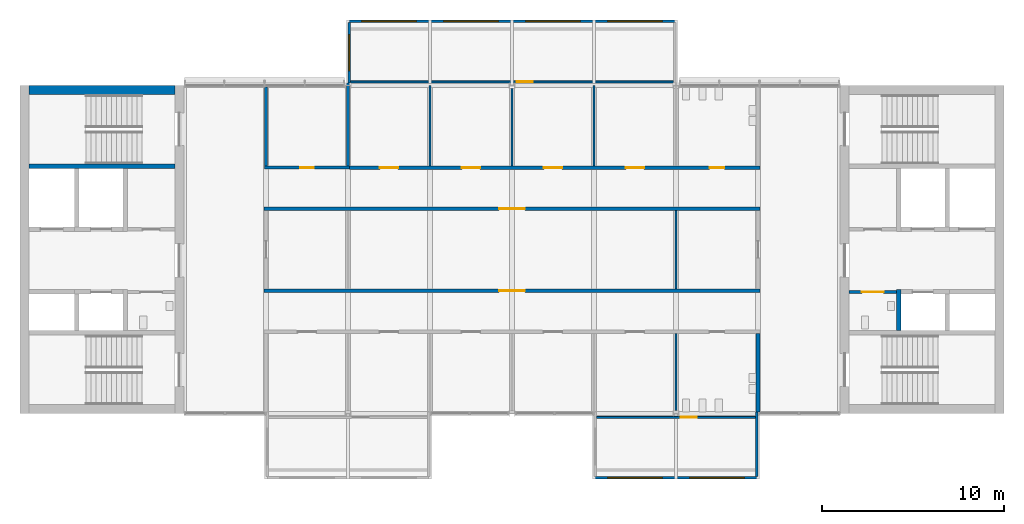
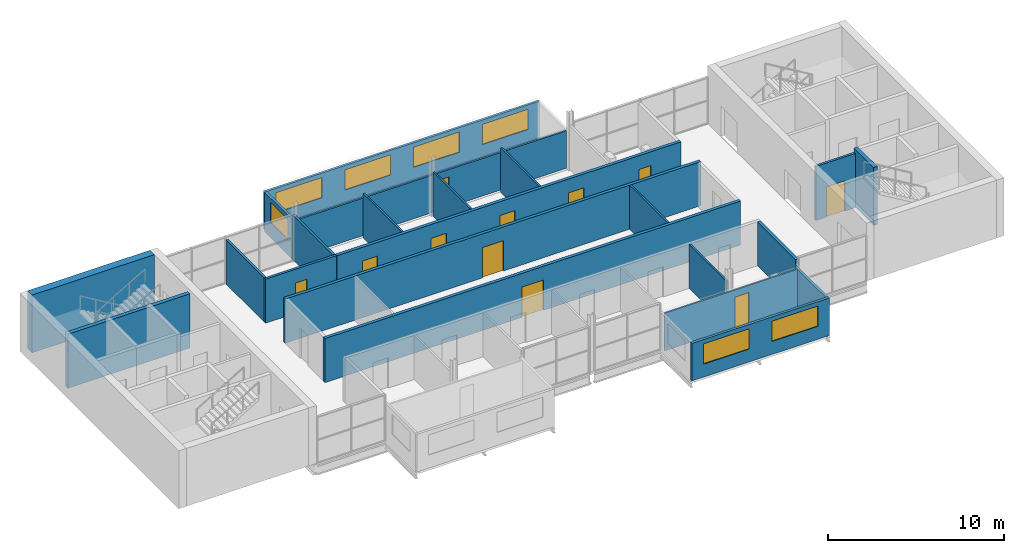
# One storey, part 6 of 10: 22 walls, 11 doors, 7 windows, 18 openings.
"""IFC4 building model written with IfcOpenShell, lengths in metres."""

from ifc_helpers import new_model, si_unit, direction, frame, frame_2d, origin, place, context, subcontext, project, spatial, rectangle, extrude, material, layer, layer_set, type_object, element, fill, save


model = new_model("IFC4")

# Units and contexts
model_context = context("Model", 3, precision=1e-05, world=origin(), true_north=direction((0.0, 1.0)))
body_context = subcontext(model_context, "Body", "Model", "MODEL_VIEW")
ifc_project = project(units=[si_unit("LENGTHUNIT", "METRE"), si_unit("AREAUNIT", "SQUARE_METRE"), si_unit("VOLUMEUNIT", "CUBIC_METRE"), si_unit("PLANEANGLEUNIT", "RADIAN"), si_unit("MASSUNIT", "GRAM", prefix="KILO")], contexts=[model_context])

# Site, building, storey
site_placement = place(None, origin())
site = spatial("IfcSite", under=ifc_project, at=site_placement, CompositionType="ELEMENT")
building_placement = place(site_placement, origin())
building = spatial("IfcBuilding", under=site, at=building_placement, Name="Corbel Yard City Hall", CompositionType="ELEMENT")
storey_placement = place(building_placement, frame((0.0, 0.0, 59.199951171875)))
storey = spatial("IfcBuildingStorey", under=building, at=storey_placement, Name="L14", CompositionType="ELEMENT", Elevation=59.199951171875)

# Walls
ifc_material_1 = material(Name="Concrete N40 (40 MPa)", Category="concrete")
ifc_layer_1 = layer(ifc_material_1, 0.25)
ifc_layer_set_1 = layer_set([ifc_layer_1], Name="Concrete N40 (40 MPa)")
wall_type_1 = type_object("IfcWallType", Name="IW2", PredefinedType="SOLIDWALL", material=ifc_layer_set_1)
wall_1_placement = place(storey_placement, frame((8.5, 112.574951171875, 0.0), z_axis=(0.0, 0.0, 1.0), x_axis=(-1.0, 0.0, 0.0)))
element("IfcWall", 1, at=wall_1_placement, inside=storey, type_object=wall_type_1, Name="Stair enclosure wall", PredefinedType="SOLIDWALL", context=body_context, shape_type="SweptSolid", body=[
    extrude(rectangle(XDim=8.0, YDim=0.25, at=frame_2d((4.0, 0.0))), origin(), (0.0, 0.0, 1.0), 3.75),
])
wall_2_placement = place(storey_placement, frame((48.22509765625, 103.550048828125, 0.0), z_axis=(0.0, 0.0, 1.0), x_axis=(0.0, 1.0, 0.0)))
element("IfcWall", 2, at=wall_2_placement, inside=storey, type_object=wall_type_1, Name="Lift LP25 shaft wall", PredefinedType="SOLIDWALL", context=body_context, shape_type="SweptSolid", body=[
    extrude(rectangle(XDim=2.25, YDim=0.25, at=frame_2d((1.125, 0.0))), origin(), (0.0, 0.0, 1.0), 4.0),
])

# Wall, openings, windows
ifc_material_2 = material(Name="Anodised aluminium", Category="aluminium")
ifc_layer_2 = layer(ifc_material_2, 0.02392578125)
ifc_material_3 = material(Name="Steel Grade G550 (550 MPa yield)", Category="steel")
ifc_layer_3 = layer(ifc_material_3, 0.10009765625)
ifc_material_4 = material(Name="Gypsum plasterboard", Category="gypsum")
ifc_layer_4 = layer(ifc_material_4, 0.02587890625)
ifc_layer_set_2 = layer_set([ifc_layer_2, ifc_layer_3, ifc_layer_4], Name="Steel Grade G550 (550 MPa yield)")
wall_type_2 = type_object("IfcWallType", Name="PD1", PredefinedType="SOLIDWALL", material=ifc_layer_set_2)
wall_3_placement = place(storey_placement, frame((31.5, 95.47509765625, 0.0), z_axis=(0.0, 0.0, 1.0), x_axis=(1.0, 0.0, 0.0)))
wall_3 = element("IfcWall", 3, at=wall_3_placement, inside=storey, type_object=wall_type_2, Name="Pod outer wall L14", PredefinedType="SOLIDWALL", context=body_context, shape_type="SweptSolid", body=[
    extrude(rectangle(XDim=9.0, YDim=0.14990234375, at=frame_2d((4.5, 0.0))), origin(), (0.0, 0.0, 1.0), 2.60009765625),
])
opening_1_placement = place(wall_3_placement, frame((0.75, 0.0, 0.89990234375)))
opening_1 = element("IfcOpeningElement", 4, at=opening_1_placement, cuts=wall_3, Name="Opening WN5", PredefinedType="OPENING", context=body_context, shape_type="SweptSolid", body=[
    extrude(rectangle(XDim=3.0, YDim=1.39990234375, at=frame_2d((1.5, 0.699951171875))), frame((0.0, 0.0849609375, 0.0), z_axis=(0.0, -1.0, 0.0), x_axis=(1.0, 0.0, 0.0)), (0.0, 0.0, 1.0), 0.169921875),
])
opening_2_placement = place(wall_3_placement, frame((5.25, 0.0, 0.89990234375)))
opening_2 = element("IfcOpeningElement", 5, at=opening_2_placement, cuts=wall_3, Name="Opening WN5", PredefinedType="OPENING", context=body_context, shape_type="SweptSolid", body=[
    extrude(rectangle(XDim=3.0, YDim=1.39990234375, at=frame_2d((1.5, 0.699951171875))), frame((0.0, 0.0849609375, 0.0), z_axis=(0.0, -1.0, 0.0), x_axis=(1.0, 0.0, 0.0)), (0.0, 0.0, 1.0), 0.169921875),
])
ifc_material_5 = material(Name="Aluminium frame, double glazed low-e glass", Category="aluminium")
window_type_1 = type_object("IfcWindowType", Name="WN5", PartitioningType="SINGLE_PANEL", PredefinedType="WINDOW", material=ifc_material_5)
window_1_placement = place(opening_1_placement, origin())
window_1 = element("IfcWindow", 6, at=window_1_placement, inside=storey, type_object=window_type_1, Name="Window WN5 L14", OverallHeight=1.39990234375, OverallWidth=3.0, PartitioningType="SINGLE_PANEL", PredefinedType="WINDOW", context=body_context, shape_type="SweptSolid", body=[
    extrude(rectangle(XDim=3.0, YDim=1.39990234375, at=frame_2d((1.5, 0.699951171875))), frame((0.0, 0.030029296875, 0.0), z_axis=(0.0, -1.0, 0.0), x_axis=(1.0, 0.0, 0.0)), (0.0, 0.0, 1.0), 0.06005859375),
])
fill(opening_1, window_1)
window_2_placement = place(opening_2_placement, origin())
window_2 = element("IfcWindow", 7, at=window_2_placement, inside=storey, type_object=window_type_1, Name="Window WN5 L14", OverallHeight=1.39990234375, OverallWidth=3.0, PartitioningType="SINGLE_PANEL", PredefinedType="WINDOW", context=body_context, shape_type="SweptSolid", body=[
    extrude(rectangle(XDim=3.0, YDim=1.39990234375, at=frame_2d((1.5, 0.699951171875))), frame((0.0, 0.030029296875, 0.0), z_axis=(0.0, -1.0, 0.0), x_axis=(1.0, 0.0, 0.0)), (0.0, 0.0, 1.0), 0.06005859375),
])
fill(opening_2, window_2)

wall_4_placement = place(storey_placement, frame((18.0, 120.52490234375, 0.0), z_axis=(0.0, 0.0, 1.0), x_axis=(1.0, 0.0, 0.0)))
wall_4 = element("IfcWall", 8, at=wall_4_placement, inside=storey, type_object=wall_type_2, Name="Pod outer wall L14", PredefinedType="SOLIDWALL", context=body_context, shape_type="SweptSolid", body=[
    extrude(rectangle(XDim=18.0, YDim=0.14990234375, at=frame_2d((9.0, 0.0))), origin(), (0.0, 0.0, 1.0), 2.60009765625),
])
opening_3_placement = place(wall_4_placement, frame((0.75, 0.0, 0.89990234375)))
opening_3 = element("IfcOpeningElement", 9, at=opening_3_placement, cuts=wall_4, Name="Opening WN5", PredefinedType="OPENING", context=body_context, shape_type="SweptSolid", body=[
    extrude(rectangle(XDim=3.0, YDim=1.39990234375, at=frame_2d((1.5, 0.699951171875))), frame((0.0, 0.0849609375, 0.0), z_axis=(0.0, -1.0, 0.0), x_axis=(1.0, 0.0, 0.0)), (0.0, 0.0, 1.0), 0.169921875),
])
opening_4_placement = place(wall_4_placement, frame((5.25, 0.0, 0.89990234375)))
opening_4 = element("IfcOpeningElement", 10, at=opening_4_placement, cuts=wall_4, Name="Opening WN5", PredefinedType="OPENING", context=body_context, shape_type="SweptSolid", body=[
    extrude(rectangle(XDim=3.0, YDim=1.39990234375, at=frame_2d((1.5, 0.699951171875))), frame((0.0, 0.0849609375, 0.0), z_axis=(0.0, -1.0, 0.0), x_axis=(1.0, 0.0, 0.0)), (0.0, 0.0, 1.0), 0.169921875),
])
opening_5_placement = place(wall_4_placement, frame((9.75, 0.0, 0.89990234375)))
opening_5 = element("IfcOpeningElement", 11, at=opening_5_placement, cuts=wall_4, Name="Opening WN5", PredefinedType="OPENING", context=body_context, shape_type="SweptSolid", body=[
    extrude(rectangle(XDim=3.0, YDim=1.39990234375, at=frame_2d((1.5, 0.699951171875))), frame((0.0, 0.0849609375, 0.0), z_axis=(0.0, -1.0, 0.0), x_axis=(1.0, 0.0, 0.0)), (0.0, 0.0, 1.0), 0.169921875),
])
opening_6_placement = place(wall_4_placement, frame((14.25, 0.0, 0.89990234375)))
opening_6 = element("IfcOpeningElement", 12, at=opening_6_placement, cuts=wall_4, Name="Opening WN5", PredefinedType="OPENING", context=body_context, shape_type="SweptSolid", body=[
    extrude(rectangle(XDim=3.0, YDim=1.39990234375, at=frame_2d((1.5, 0.699951171875))), frame((0.0, 0.0849609375, 0.0), z_axis=(0.0, -1.0, 0.0), x_axis=(1.0, 0.0, 0.0)), (0.0, 0.0, 1.0), 0.169921875),
])
window_3_placement = place(opening_3_placement, origin())
window_3 = element("IfcWindow", 13, at=window_3_placement, inside=storey, type_object=window_type_1, Name="Window WN5 L14", OverallHeight=1.39990234375, OverallWidth=3.0, PartitioningType="SINGLE_PANEL", PredefinedType="WINDOW", context=body_context, shape_type="SweptSolid", body=[
    extrude(rectangle(XDim=3.0, YDim=1.39990234375, at=frame_2d((1.5, 0.699951171875))), frame((0.0, 0.030029296875, 0.0), z_axis=(0.0, -1.0, 0.0), x_axis=(1.0, 0.0, 0.0)), (0.0, 0.0, 1.0), 0.06005859375),
])
fill(opening_3, window_3)
window_4_placement = place(opening_4_placement, origin())
window_4 = element("IfcWindow", 14, at=window_4_placement, inside=storey, type_object=window_type_1, Name="Window WN5 L14", OverallHeight=1.39990234375, OverallWidth=3.0, PartitioningType="SINGLE_PANEL", PredefinedType="WINDOW", context=body_context, shape_type="SweptSolid", body=[
    extrude(rectangle(XDim=3.0, YDim=1.39990234375, at=frame_2d((1.5, 0.699951171875))), frame((0.0, 0.030029296875, 0.0), z_axis=(0.0, -1.0, 0.0), x_axis=(1.0, 0.0, 0.0)), (0.0, 0.0, 1.0), 0.06005859375),
])
fill(opening_4, window_4)
window_5_placement = place(opening_5_placement, origin())
window_5 = element("IfcWindow", 15, at=window_5_placement, inside=storey, type_object=window_type_1, Name="Window WN5 L14", OverallHeight=1.39990234375, OverallWidth=3.0, PartitioningType="SINGLE_PANEL", PredefinedType="WINDOW", context=body_context, shape_type="SweptSolid", body=[
    extrude(rectangle(XDim=3.0, YDim=1.39990234375, at=frame_2d((1.5, 0.699951171875))), frame((0.0, 0.030029296875, 0.0), z_axis=(0.0, -1.0, 0.0), x_axis=(1.0, 0.0, 0.0)), (0.0, 0.0, 1.0), 0.06005859375),
])
fill(opening_5, window_5)
window_6_placement = place(opening_6_placement, origin())
window_6 = element("IfcWindow", 16, at=window_6_placement, inside=storey, type_object=window_type_1, Name="Window WN5 L14", OverallHeight=1.39990234375, OverallWidth=3.0, PartitioningType="SINGLE_PANEL", PredefinedType="WINDOW", context=body_context, shape_type="SweptSolid", body=[
    extrude(rectangle(XDim=3.0, YDim=1.39990234375, at=frame_2d((1.5, 0.699951171875))), frame((0.0, 0.030029296875, 0.0), z_axis=(0.0, -1.0, 0.0), x_axis=(1.0, 0.0, 0.0)), (0.0, 0.0, 1.0), 0.06005859375),
])
fill(opening_6, window_6)

# Wall, opening, door
ifc_layer_5 = layer(ifc_material_4, 0.01806640625)
ifc_layer_6 = layer(ifc_material_3, 0.06396484375)
ifc_layer_7 = layer(ifc_material_4, 0.01806640625)
ifc_layer_set_3 = layer_set([ifc_layer_5, ifc_layer_6, ifc_layer_7], Name="Steel Grade G550 (550 MPa yield)")
wall_type_3 = type_object("IfcWallType", Name="PD2", PredefinedType="PARTITIONING", material=ifc_layer_set_3)
wall_5_placement = place(storey_placement, frame((31.64990234375, 98.79443359375, 0.0), z_axis=(0.0, 0.0, 1.0), x_axis=(1.0, 0.0, 0.0)))
wall_5 = element("IfcWall", 17, at=wall_5_placement, inside=storey, type_object=wall_type_3, Name="Pod inner wall L14", PredefinedType="PARTITIONING", context=body_context, shape_type="SweptSolid", body=[
    extrude(rectangle(XDim=8.7001953125, YDim=0.10009765625, at=frame_2d((4.35009765625, 0.0))), origin(), (0.0, 0.0, 1.0), 2.60009765625),
])
opening_7_placement = place(wall_5_placement, frame((4.60009765625, 0.0, 0.0)))
opening_7 = element("IfcOpeningElement", 18, at=opening_7_placement, cuts=wall_5, Name="Opening T4-002", PredefinedType="OPENING", context=body_context, shape_type="SweptSolid", body=[
    extrude(rectangle(XDim=0.89990234375, YDim=2.10009765625, at=frame_2d((0.449951171875, 1.050048828125))), frame((0.0, 0.06005859375, 0.0), z_axis=(0.0, -1.0, 0.0), x_axis=(1.0, 0.0, 0.0)), (0.0, 0.0, 1.0), 0.1201171875),
])
ifc_material_6 = material(Name="Timber, solid core", Category="wood")
door_type_1 = type_object("IfcDoorType", Name="XD6", OperationType="SINGLE_SWING_LEFT", PredefinedType="DOOR", material=ifc_material_6)
door_1_placement = place(opening_7_placement, origin())
door_1 = element("IfcDoor", 19, at=door_1_placement, inside=storey, type_object=door_type_1, Name="Pod door L14", OperationType="SINGLE_SWING_LEFT", OverallHeight=2.10009765625, OverallWidth=0.89990234375, PredefinedType="DOOR", context=body_context, shape_type="SweptSolid", body=[
    extrude(rectangle(XDim=0.89990234375, YDim=2.10009765625, at=frame_2d((0.449951171875, 1.050048828125))), frame((0.0, 0.02490234375, 0.0), z_axis=(0.0, -1.0, 0.0), x_axis=(1.0, 0.0, 0.0)), (0.0, 0.0, 1.0), 0.050048828125),
])
fill(opening_7, door_1)

wall_6_placement = place(storey_placement, frame((18.14990234375, 117.20556640625, 0.0), z_axis=(0.0, 0.0, 1.0), x_axis=(1.0, 0.0, 0.0)))
wall_6 = element("IfcWall", 20, at=wall_6_placement, inside=storey, type_object=wall_type_3, Name="Pod inner wall L14", PredefinedType="PARTITIONING", context=body_context, shape_type="SweptSolid", body=[
    extrude(rectangle(XDim=17.7001953125, YDim=0.10009765625, at=frame_2d((8.85009765625, 0.0))), origin(), (0.0, 0.0, 1.0), 2.60009765625),
])
opening_8_placement = place(wall_6_placement, frame((9.10009765625, 0.0, 0.0)))
opening_8 = element("IfcOpeningElement", 21, at=opening_8_placement, cuts=wall_6, Name="Opening T4-003", PredefinedType="OPENING", context=body_context, shape_type="SweptSolid", body=[
    extrude(rectangle(XDim=0.89990234375, YDim=2.10009765625, at=frame_2d((0.449951171875, 1.050048828125))), frame((0.0, 0.06005859375, 0.0), z_axis=(0.0, -1.0, 0.0), x_axis=(1.0, 0.0, 0.0)), (0.0, 0.0, 1.0), 0.1201171875),
])
door_2_placement = place(opening_8_placement, frame((0.89990234375, 0.0, 0.0), z_axis=(0.0, 0.0, 1.0), x_axis=(-1.0, 0.0, 0.0)))
door_2 = element("IfcDoor", 22, at=door_2_placement, inside=storey, type_object=door_type_1, Name="Pod door L14", OperationType="SINGLE_SWING_RIGHT", OverallHeight=2.10009765625, OverallWidth=0.89990234375, PredefinedType="DOOR", context=body_context, shape_type="SweptSolid", body=[
    extrude(rectangle(XDim=0.89990234375, YDim=2.10009765625, at=frame_2d((0.449951171875, 1.050048828125))), frame((0.0, 0.02490234375, 0.0), z_axis=(0.0, -1.0, 0.0), x_axis=(1.0, 0.0, 0.0)), (0.0, 0.0, 1.0), 0.050048828125),
])
fill(opening_8, door_2)

# Wall
ifc_layer_8 = layer(ifc_material_2, 0.02392578125)
ifc_layer_9 = layer(ifc_material_3, 0.10009765625)
ifc_layer_10 = layer(ifc_material_4, 0.02587890625)
ifc_layer_set_4 = layer_set([ifc_layer_8, ifc_layer_9, ifc_layer_10], Name="Steel Grade G550 (550 MPa yield)")
wall_type_4 = type_object("IfcWallType", Name="PD3", PredefinedType="SOLIDWALL", material=ifc_layer_set_4)
wall_7_placement = place(storey_placement, frame((40.425048828125, 95.550048828125, -0.14990234375), z_axis=(0.0, 0.0, 1.0), x_axis=(0.0, 1.0, 0.0)))
element("IfcWall", 23, at=wall_7_placement, inside=storey, type_object=wall_type_4, Name="Pod side wall L14", PredefinedType="SOLIDWALL", context=body_context, shape_type="SweptSolid", body=[
    extrude(rectangle(XDim=3.52490234375, YDim=0.14990234375, at=frame_2d((1.762451171875, 0.0))), origin(), (0.0, 0.0, 1.0), 2.75),
])

# Wall, opening, window
wall_8_placement = place(storey_placement, frame((18.074951171875, 120.449951171875, -0.14990234375), z_axis=(0.0, 0.0, 1.0), x_axis=(0.0, -1.0, 0.0)))
wall_8 = element("IfcWall", 24, at=wall_8_placement, inside=storey, type_object=wall_type_4, Name="Pod side wall L14", PredefinedType="SOLIDWALL", context=body_context, shape_type="SweptSolid", body=[
    extrude(rectangle(XDim=3.29443359375, YDim=0.14990234375, at=frame_2d((1.647216796875, 0.0))), origin(), (0.0, 0.0, 1.0), 2.75),
])
opening_9_placement = place(wall_8_placement, frame((0.647216796875, 0.0, 1.050048828125)))
opening_9 = element("IfcOpeningElement", 25, at=opening_9_placement, cuts=wall_8, Name="Opening WN6", PredefinedType="OPENING", context=body_context, shape_type="SweptSolid", body=[
    extrude(rectangle(XDim=2.0, YDim=1.39990234375, at=frame_2d((1.0, 0.699951171875))), frame((0.0, 0.0849609375, 0.0), z_axis=(0.0, -1.0, 0.0), x_axis=(1.0, 0.0, 0.0)), (0.0, 0.0, 1.0), 0.169921875),
])
window_type_2 = type_object("IfcWindowType", Name="WN6", PartitioningType="SINGLE_PANEL", PredefinedType="WINDOW", material=ifc_material_5)
window_7_placement = place(opening_9_placement, origin())
window_7 = element("IfcWindow", 26, at=window_7_placement, inside=storey, type_object=window_type_2, Name="Window WN6 L14", OverallHeight=1.39990234375, OverallWidth=2.0, PartitioningType="SINGLE_PANEL", PredefinedType="WINDOW", context=body_context, shape_type="SweptSolid", body=[
    extrude(rectangle(XDim=2.0, YDim=1.39990234375, at=frame_2d((1.0, 0.699951171875))), frame((0.0, 0.030029296875, 0.0), z_axis=(0.0, -1.0, 0.0), x_axis=(1.0, 0.0, 0.0)), (0.0, 0.0, 1.0), 0.06005859375),
])
fill(opening_9, window_7)

# Walls
ifc_layer_11 = layer(ifc_material_4, 0.028076171875)
ifc_layer_12 = layer(ifc_material_3, 0.06396484375)
ifc_layer_13 = layer(ifc_material_4, 0.028076171875)
ifc_layer_set_5 = layer_set([ifc_layer_11, ifc_layer_12, ifc_layer_13], Name="Steel Grade G550 (550 MPa yield)")
wall_type_5 = type_object("IfcWallType", Name="PT1", PredefinedType="PARTITIONING", material=ifc_layer_set_5)
wall_9_placement = place(storey_placement, frame((22.5, 112.60009765625, 0.0), z_axis=(0.0, 0.0, 1.0), x_axis=(0.0, 1.0, 0.0)))
element("IfcWall", 27, at=wall_9_placement, inside=storey, type_object=wall_type_5, Name="Partition", PredefinedType="PARTITIONING", context=body_context, shape_type="SweptSolid", body=[
    extrude(rectangle(XDim=4.39990234375, YDim=0.1201171875, at=frame_2d((2.199951171875, 0.0))), origin(), (0.0, 0.0, 1.0), 3.050048828125),
])
wall_10_placement = place(storey_placement, frame((27.0, 112.60009765625, 0.0), z_axis=(0.0, 0.0, 1.0), x_axis=(0.0, 1.0, 0.0)))
element("IfcWall", 28, at=wall_10_placement, inside=storey, type_object=wall_type_5, Name="Partition", PredefinedType="PARTITIONING", context=body_context, shape_type="SweptSolid", body=[
    extrude(rectangle(XDim=4.236328125, YDim=0.1201171875, at=frame_2d((2.1181640625, 0.0))), origin(), (0.0, 0.0, 1.0), 3.050048828125),
])
wall_11_placement = place(storey_placement, frame((31.5, 112.60009765625, 0.0), z_axis=(0.0, 0.0, 1.0), x_axis=(0.0, 1.0, 0.0)))
element("IfcWall", 29, at=wall_11_placement, inside=storey, type_object=wall_type_5, Name="Partition", PredefinedType="PARTITIONING", context=body_context, shape_type="SweptSolid", body=[
    extrude(rectangle(XDim=4.39990234375, YDim=0.1201171875, at=frame_2d((2.199951171875, 0.0))), origin(), (0.0, 0.0, 1.0), 3.050048828125),
])
wall_12_placement = place(storey_placement, frame((36.0, 99.16357421875, 0.0), z_axis=(0.0, 0.0, 1.0), x_axis=(0.0, 1.0, 0.0)))
element("IfcWall", 30, at=wall_12_placement, inside=storey, type_object=wall_type_5, Name="Partition", PredefinedType="PARTITIONING", context=body_context, shape_type="SweptSolid", body=[
    extrude(rectangle(XDim=4.236328125, YDim=0.1201171875, at=frame_2d((2.1181640625, 0.0))), origin(), (0.0, 0.0, 1.0), 3.050048828125),
])
wall_13_placement = place(storey_placement, frame((36.0, 105.85009765625, 0.0), z_axis=(0.0, 0.0, 1.0), x_axis=(0.0, 1.0, 0.0)))
element("IfcWall", 31, at=wall_13_placement, inside=storey, type_object=wall_type_5, Name="Partition", PredefinedType="PARTITIONING", context=body_context, shape_type="SweptSolid", body=[
    extrude(rectangle(XDim=4.2998046875, YDim=0.1201171875, at=frame_2d((2.14990234375, 0.0))), origin(), (0.0, 0.0, 1.0), 3.050048828125),
])

# Wall, opening, door
ifc_layer_14 = layer(ifc_material_4, 0.031982421875)
ifc_layer_15 = layer(ifc_material_3, 0.135986328125)
ifc_layer_16 = layer(ifc_material_4, 0.031982421875)
ifc_layer_set_6 = layer_set([ifc_layer_14, ifc_layer_15, ifc_layer_16], Name="Steel Grade G550 (550 MPa yield)")
wall_type_6 = type_object("IfcWallType", Name="PT2", PredefinedType="PARTITIONING", material=ifc_layer_set_6)
wall_14_placement = place(storey_placement, frame((13.39990234375, 105.75, 0.0), z_axis=(0.0, 0.0, 1.0), x_axis=(1.0, 0.0, 0.0)))
wall_14 = element("IfcWall", 32, at=wall_14_placement, inside=storey, type_object=wall_type_6, Name="Acoustic wall", PredefinedType="PARTITIONING", context=body_context, shape_type="SweptSolid", body=[
    extrude(rectangle(XDim=27.2001953125, YDim=0.199951171875, at=frame_2d((13.60009765625, 0.0))), origin(), (0.0, 0.0, 1.0), 3.050048828125),
])
opening_10_placement = place(wall_14_placement, frame((12.89990234375, 0.0, 0.0)))
opening_10 = element("IfcOpeningElement", 33, at=opening_10_placement, cuts=wall_14, Name="Opening T4-010", PredefinedType="OPENING", context=body_context, shape_type="SweptSolid", body=[
    extrude(rectangle(XDim=1.39990234375, YDim=2.10009765625, at=frame_2d((0.699951171875, 1.050048828125))), frame((0.0, 0.10986328125, 0.0), z_axis=(0.0, -1.0, 0.0), x_axis=(1.0, 0.0, 0.0)), (0.0, 0.0, 1.0), 0.219970703125),
])
ifc_material_7 = material(Name="Timber", Category="wood")
door_type_2 = type_object("IfcDoorType", Name="D48", OperationType="DOUBLE_DOOR_SINGLE_SWING", PredefinedType="DOOR", material=ifc_material_7)
door_3_placement = place(opening_10_placement, origin())
door_3 = element("IfcDoor", 34, at=door_3_placement, inside=storey, type_object=door_type_2, Name="Door Filing Room 1409", OperationType="DOUBLE_DOOR_SINGLE_SWING", OverallHeight=2.10009765625, OverallWidth=1.39990234375, PredefinedType="DOOR", context=body_context, shape_type="SweptSolid", body=[
    extrude(rectangle(XDim=1.39990234375, YDim=2.10009765625, at=frame_2d((0.699951171875, 1.050048828125))), frame((0.0, 0.02490234375, 0.0), z_axis=(0.0, -1.0, 0.0), x_axis=(1.0, 0.0, 0.0)), (0.0, 0.0, 1.0), 0.050048828125),
])
fill(opening_10, door_3)

wall_15_placement = place(storey_placement, frame((13.39990234375, 110.25, 0.0), z_axis=(0.0, 0.0, 1.0), x_axis=(1.0, 0.0, 0.0)))
wall_15 = element("IfcWall", 35, at=wall_15_placement, inside=storey, type_object=wall_type_6, Name="Acoustic wall", PredefinedType="PARTITIONING", context=body_context, shape_type="SweptSolid", body=[
    extrude(rectangle(XDim=27.2001953125, YDim=0.199951171875, at=frame_2d((13.60009765625, 0.0))), origin(), (0.0, 0.0, 1.0), 3.050048828125),
])
opening_11_placement = place(wall_15_placement, frame((12.89990234375, 0.0, 0.0)))
opening_11 = element("IfcOpeningElement", 36, at=opening_11_placement, cuts=wall_15, Name="Opening T4-011", PredefinedType="OPENING", context=body_context, shape_type="SweptSolid", body=[
    extrude(rectangle(XDim=1.39990234375, YDim=2.10009765625, at=frame_2d((0.699951171875, 1.050048828125))), frame((0.0, 0.10986328125, 0.0), z_axis=(0.0, -1.0, 0.0), x_axis=(1.0, 0.0, 0.0)), (0.0, 0.0, 1.0), 0.219970703125),
])
door_4_placement = place(opening_11_placement, origin())
door_4 = element("IfcDoor", 37, at=door_4_placement, inside=storey, type_object=door_type_2, Name="Door Filing Room 1409", OperationType="DOUBLE_DOOR_SINGLE_SWING", OverallHeight=2.10009765625, OverallWidth=1.39990234375, PredefinedType="DOOR", context=body_context, shape_type="SweptSolid", body=[
    extrude(rectangle(XDim=1.39990234375, YDim=2.10009765625, at=frame_2d((0.699951171875, 1.050048828125))), frame((0.0, 0.02490234375, 0.0), z_axis=(0.0, -1.0, 0.0), x_axis=(1.0, 0.0, 0.0)), (0.0, 0.0, 1.0), 0.050048828125),
])
fill(opening_11, door_4)

# Wall, openings, doors
wall_16_placement = place(storey_placement, frame((18.080078125, 112.5, 0.0), z_axis=(0.0, 0.0, 1.0), x_axis=(1.0, 0.0, 0.0)))
wall_16 = element("IfcWall", 38, at=wall_16_placement, inside=storey, type_object=wall_type_6, Name="Acoustic wall", PredefinedType="PARTITIONING", context=body_context, shape_type="SweptSolid", body=[
    extrude(rectangle(XDim=22.52001953125, YDim=0.199951171875, at=frame_2d((11.260009765625, 0.0))), origin(), (0.0, 0.0, 1.0), 3.050048828125),
])
opening_12_placement = place(wall_16_placement, frame((1.669921875, 0.0, 0.0)))
opening_12 = element("IfcOpeningElement", 39, at=opening_12_placement, cuts=wall_16, Name="Opening T4-021", PredefinedType="OPENING", context=body_context, shape_type="SweptSolid", body=[
    extrude(rectangle(XDim=1.0, YDim=2.10009765625, at=frame_2d((0.5, 1.050048828125))), frame((0.0, 0.10986328125, 0.0), z_axis=(0.0, -1.0, 0.0), x_axis=(1.0, 0.0, 0.0)), (0.0, 0.0, 1.0), 0.219970703125),
])
opening_13_placement = place(wall_16_placement, frame((6.169921875, 0.0, 0.0)))
opening_13 = element("IfcOpeningElement", 40, at=opening_13_placement, cuts=wall_16, Name="Opening T4-022", PredefinedType="OPENING", context=body_context, shape_type="SweptSolid", body=[
    extrude(rectangle(XDim=1.0, YDim=2.10009765625, at=frame_2d((0.5, 1.050048828125))), frame((0.0, 0.10986328125, 0.0), z_axis=(0.0, -1.0, 0.0), x_axis=(1.0, 0.0, 0.0)), (0.0, 0.0, 1.0), 0.219970703125),
])
opening_14_placement = place(wall_16_placement, frame((10.669921875, 0.0, 0.0)))
opening_14 = element("IfcOpeningElement", 41, at=opening_14_placement, cuts=wall_16, Name="Opening T4-023", PredefinedType="OPENING", context=body_context, shape_type="SweptSolid", body=[
    extrude(rectangle(XDim=1.0, YDim=2.10009765625, at=frame_2d((0.5, 1.050048828125))), frame((0.0, 0.10986328125, 0.0), z_axis=(0.0, -1.0, 0.0), x_axis=(1.0, 0.0, 0.0)), (0.0, 0.0, 1.0), 0.219970703125),
])
opening_15_placement = place(wall_16_placement, frame((15.169921875, 0.0, 0.0)))
opening_15 = element("IfcOpeningElement", 42, at=opening_15_placement, cuts=wall_16, Name="Opening T4-024", PredefinedType="OPENING", context=body_context, shape_type="SweptSolid", body=[
    extrude(rectangle(XDim=1.0, YDim=2.10009765625, at=frame_2d((0.5, 1.050048828125))), frame((0.0, 0.10986328125, 0.0), z_axis=(0.0, -1.0, 0.0), x_axis=(1.0, 0.0, 0.0)), (0.0, 0.0, 1.0), 0.219970703125),
])
opening_16_placement = place(wall_16_placement, frame((19.77001953125, 0.0, 0.0)))
opening_16 = element("IfcOpeningElement", 43, at=opening_16_placement, cuts=wall_16, Name="Opening T4-025", PredefinedType="OPENING", context=body_context, shape_type="SweptSolid", body=[
    extrude(rectangle(XDim=0.800048828125, YDim=2.10009765625, at=frame_2d((0.39990234375, 1.050048828125))), frame((0.0, 0.10986328125, 0.0), z_axis=(0.0, -1.0, 0.0), x_axis=(1.0, 0.0, 0.0)), (0.0, 0.0, 1.0), 0.219970703125),
])
door_type_3 = type_object("IfcDoorType", Name="D1", OperationType="SINGLE_SWING_LEFT", PredefinedType="DOOR", material=ifc_material_7)
door_5_placement = place(opening_12_placement, origin())
door_5 = element("IfcDoor", 44, at=door_5_placement, inside=storey, type_object=door_type_3, Name="Door Officer's Office 1419", OperationType="SINGLE_SWING_LEFT", OverallHeight=2.10009765625, OverallWidth=1.0, PredefinedType="DOOR", context=body_context, shape_type="SweptSolid", body=[
    extrude(rectangle(XDim=1.0, YDim=2.10009765625, at=frame_2d((0.5, 1.050048828125))), frame((0.0, 0.02490234375, 0.0), z_axis=(0.0, -1.0, 0.0), x_axis=(1.0, 0.0, 0.0)), (0.0, 0.0, 1.0), 0.050048828125),
])
fill(opening_12, door_5)
door_6_placement = place(opening_13_placement, origin())
door_6 = element("IfcDoor", 45, at=door_6_placement, inside=storey, type_object=door_type_3, Name="Door Officer's Office 1420", OperationType="SINGLE_SWING_LEFT", OverallHeight=2.10009765625, OverallWidth=1.0, PredefinedType="DOOR", context=body_context, shape_type="SweptSolid", body=[
    extrude(rectangle(XDim=1.0, YDim=2.10009765625, at=frame_2d((0.5, 1.050048828125))), frame((0.0, 0.02490234375, 0.0), z_axis=(0.0, -1.0, 0.0), x_axis=(1.0, 0.0, 0.0)), (0.0, 0.0, 1.0), 0.050048828125),
])
fill(opening_13, door_6)
door_7_placement = place(opening_14_placement, origin())
door_7 = element("IfcDoor", 46, at=door_7_placement, inside=storey, type_object=door_type_3, Name="Door Officer's Office 1421", OperationType="SINGLE_SWING_LEFT", OverallHeight=2.10009765625, OverallWidth=1.0, PredefinedType="DOOR", context=body_context, shape_type="SweptSolid", body=[
    extrude(rectangle(XDim=1.0, YDim=2.10009765625, at=frame_2d((0.5, 1.050048828125))), frame((0.0, 0.02490234375, 0.0), z_axis=(0.0, -1.0, 0.0), x_axis=(1.0, 0.0, 0.0)), (0.0, 0.0, 1.0), 0.050048828125),
])
fill(opening_14, door_7)
door_8_placement = place(opening_15_placement, origin())
door_8 = element("IfcDoor", 47, at=door_8_placement, inside=storey, type_object=door_type_3, Name="Door Officer's Office 1422", OperationType="SINGLE_SWING_LEFT", OverallHeight=2.10009765625, OverallWidth=1.0, PredefinedType="DOOR", context=body_context, shape_type="SweptSolid", body=[
    extrude(rectangle(XDim=1.0, YDim=2.10009765625, at=frame_2d((0.5, 1.050048828125))), frame((0.0, 0.02490234375, 0.0), z_axis=(0.0, -1.0, 0.0), x_axis=(1.0, 0.0, 0.0)), (0.0, 0.0, 1.0), 0.050048828125),
])
fill(opening_15, door_8)
door_type_4 = type_object("IfcDoorType", Name="D44", OperationType="SINGLE_SWING_LEFT", PredefinedType="DOOR", material=ifc_material_7)
door_9_placement = place(opening_16_placement, origin())
door_9 = element("IfcDoor", 48, at=door_9_placement, inside=storey, type_object=door_type_4, Name="Door Men's WC 1423", OperationType="SINGLE_SWING_LEFT", OverallHeight=2.10009765625, OverallWidth=0.800048828125, PredefinedType="DOOR", context=body_context, shape_type="SweptSolid", body=[
    extrude(rectangle(XDim=0.800048828125, YDim=2.10009765625, at=frame_2d((0.39990234375, 1.050048828125))), frame((0.0, 0.02490234375, 0.0), z_axis=(0.0, -1.0, 0.0), x_axis=(1.0, 0.0, 0.0)), (0.0, 0.0, 1.0), 0.050048828125),
])
fill(opening_16, door_9)

# Wall
wall_17_placement = place(storey_placement, frame((40.5, 99.074951171875, 0.0), z_axis=(0.0, 0.0, 1.0), x_axis=(0.0, 1.0, 0.0)))
element("IfcWall", 49, at=wall_17_placement, inside=storey, type_object=wall_type_6, Name="Acoustic wall", PredefinedType="PARTITIONING", context=body_context, shape_type="SweptSolid", body=[
    extrude(rectangle(XDim=4.324951171875, YDim=0.199951171875, at=frame_2d((2.16259765625, 0.0))), origin(), (0.0, 0.0, 1.0), 3.050048828125),
])

# Wall, opening, door
ifc_layer_17 = layer(ifc_material_4, 0.031982421875)
ifc_layer_18 = layer(ifc_material_3, 0.095947265625)
ifc_layer_19 = layer(ifc_material_4, 0.031982421875)
ifc_layer_set_7 = layer_set([ifc_layer_17, ifc_layer_18, ifc_layer_19], Name="Steel Grade G550 (550 MPa yield)")
wall_type_7 = type_object("IfcWallType", Name="PT3", PredefinedType="PARTITIONING", material=ifc_layer_set_7)
wall_18_placement = place(storey_placement, frame((45.5, 105.675048828125, 0.0), z_axis=(0.0, 0.0, 1.0), x_axis=(1.0, 0.0, 0.0)))
wall_18 = element("IfcWall", 50, at=wall_18_placement, inside=storey, type_object=wall_type_7, Name="Accessible WC wall", PredefinedType="PARTITIONING", context=body_context, shape_type="SweptSolid", body=[
    extrude(rectangle(XDim=2.60009765625, YDim=0.159912109375, at=frame_2d((1.300048828125, 0.0))), origin(), (0.0, 0.0, 1.0), 3.75),
])
opening_17_placement = place(wall_18_placement, frame((0.699951171875, 0.0, 0.0)))
opening_17 = element("IfcOpeningElement", 51, at=opening_17_placement, cuts=wall_18, Name="Opening T4-034", PredefinedType="OPENING", context=body_context, shape_type="SweptSolid", body=[
    extrude(rectangle(XDim=1.199951171875, YDim=2.10009765625, at=frame_2d((0.60009765625, 1.050048828125))), frame((0.0, 0.08984375, 0.0), z_axis=(0.0, -1.0, 0.0), x_axis=(1.0, 0.0, 0.0)), (0.0, 0.0, 1.0), 0.179931640625),
])
ifc_material_8 = material(Name="Steel Grade G250", Category="steel")
door_type_5 = type_object("IfcDoorType", Name="FD7", OperationType="SINGLE_SWING_LEFT", PredefinedType="DOOR", material=ifc_material_8)
door_10_placement = place(opening_17_placement, frame((1.199951171875, 0.0, 0.0), z_axis=(0.0, 0.0, 1.0), x_axis=(-1.0, 0.0, 0.0)))
door_10 = element("IfcDoor", 52, at=door_10_placement, inside=storey, type_object=door_type_5, Name="Door accessible WC East", OperationType="SINGLE_SWING_RIGHT", OverallHeight=2.10009765625, OverallWidth=1.199951171875, PredefinedType="DOOR", context=body_context, shape_type="SweptSolid", body=[
    extrude(rectangle(XDim=1.199951171875, YDim=2.10009765625, at=frame_2d((0.60009765625, 1.050048828125))), frame((0.0, 0.02490234375, 0.0), z_axis=(0.0, -1.0, 0.0), x_axis=(1.0, 0.0, 0.0)), (0.0, 0.0, 1.0), 0.050048828125),
])
fill(opening_17, door_10)

wall_19_placement = place(storey_placement, frame((13.419921875, 112.5, 0.0), z_axis=(0.0, 0.0, 1.0), x_axis=(1.0, 0.0, 0.0)))
wall_19 = element("IfcWall", 53, at=wall_19_placement, inside=storey, type_object=wall_type_7, Name="Fire-resisting wall", PredefinedType="PARTITIONING", context=body_context, shape_type="SweptSolid", body=[
    extrude(rectangle(XDim=4.66015625, YDim=0.159912109375, at=frame_2d((2.330078125, 0.0))), origin(), (0.0, 0.0, 1.0), 3.050048828125),
])
opening_18_placement = place(wall_19_placement, frame((1.955078125, 0.0, 0.0)))
opening_18 = element("IfcOpeningElement", 54, at=opening_18_placement, cuts=wall_19, Name="Opening T4-020", PredefinedType="OPENING", context=body_context, shape_type="SweptSolid", body=[
    extrude(rectangle(XDim=0.75, YDim=2.10009765625, at=frame_2d((0.375, 1.050048828125))), frame((0.0, 0.08984375, 0.0), z_axis=(0.0, -1.0, 0.0), x_axis=(1.0, 0.0, 0.0)), (0.0, 0.0, 1.0), 0.179931640625),
])
door_type_6 = type_object("IfcDoorType", Name="FD42", OperationType="SINGLE_SWING_LEFT", PredefinedType="DOOR", material=ifc_material_8)
door_11_placement = place(opening_18_placement, origin())
door_11 = element("IfcDoor", 55, at=door_11_placement, inside=storey, type_object=door_type_6, Name="Door Cleaners' Room 1418", OperationType="SINGLE_SWING_LEFT", OverallHeight=2.10009765625, OverallWidth=0.75, PredefinedType="DOOR", context=body_context, shape_type="SweptSolid", body=[
    extrude(rectangle(XDim=0.75, YDim=2.10009765625, at=frame_2d((0.375, 1.050048828125))), frame((0.0, 0.02490234375, 0.0), z_axis=(0.0, -1.0, 0.0), x_axis=(1.0, 0.0, 0.0)), (0.0, 0.0, 1.0), 0.050048828125),
])
fill(opening_18, door_11)

# Walls
wall_20_placement = place(storey_placement, frame((13.5, 112.580078125, 0.0), z_axis=(0.0, 0.0, 1.0), x_axis=(0.0, 1.0, 0.0)))
element("IfcWall", 56, at=wall_20_placement, inside=storey, type_object=wall_type_7, Name="Fire-resisting wall", PredefinedType="PARTITIONING", context=body_context, shape_type="SweptSolid", body=[
    extrude(rectangle(XDim=4.329833984375, YDim=0.159912109375, at=frame_2d((2.1650390625, 0.0))), origin(), (0.0, 0.0, 1.0), 3.050048828125),
])
wall_21_placement = place(storey_placement, frame((18.0, 112.60009765625, 0.0), z_axis=(0.0, 0.0, 1.0), x_axis=(0.0, 1.0, 0.0)))
element("IfcWall", 57, at=wall_21_placement, inside=storey, type_object=wall_type_7, Name="Fire-resisting wall", PredefinedType="PARTITIONING", context=body_context, shape_type="SweptSolid", body=[
    extrude(rectangle(XDim=4.555419921875, YDim=0.159912109375, at=frame_2d((2.27783203125, 0.0))), origin(), (0.0, 0.0, 1.0), 3.050048828125),
])
ifc_material_9 = material(Name="Concrete N50 (50 MPa)", Category="concrete")
ifc_layer_20 = layer(ifc_material_9, 0.5)
ifc_layer_set_8 = layer_set([ifc_layer_20], Name="Concrete N50 (50 MPa)")
wall_type_8 = type_object("IfcWallType", Name="Trunk wall 500", PredefinedType="SHEAR", material=ifc_layer_set_8)
wall_22_placement = place(storey_placement, frame((0.5, 116.75, 0.0), z_axis=(0.0, 0.0, 1.0), x_axis=(1.0, 0.0, 0.0)))
element("IfcWall", 58, at=wall_22_placement, inside=storey, type_object=wall_type_8, Name="Trunk W north wall", PredefinedType="SHEAR", context=body_context, shape_type="SweptSolid", body=[
    extrude(rectangle(XDim=8.0, YDim=0.5, at=frame_2d((4.0, 0.0))), origin(), (0.0, 0.0, 1.0), 4.0),
])

save(model, "model.ifc")
